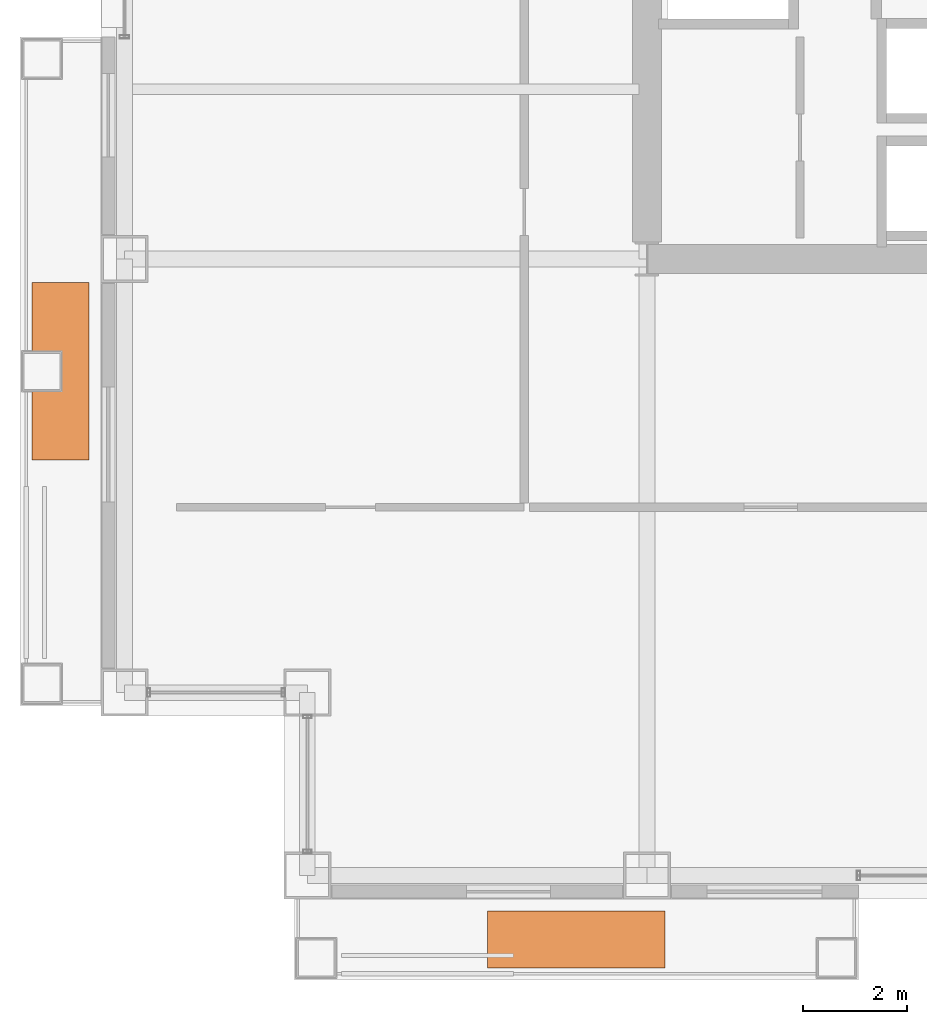
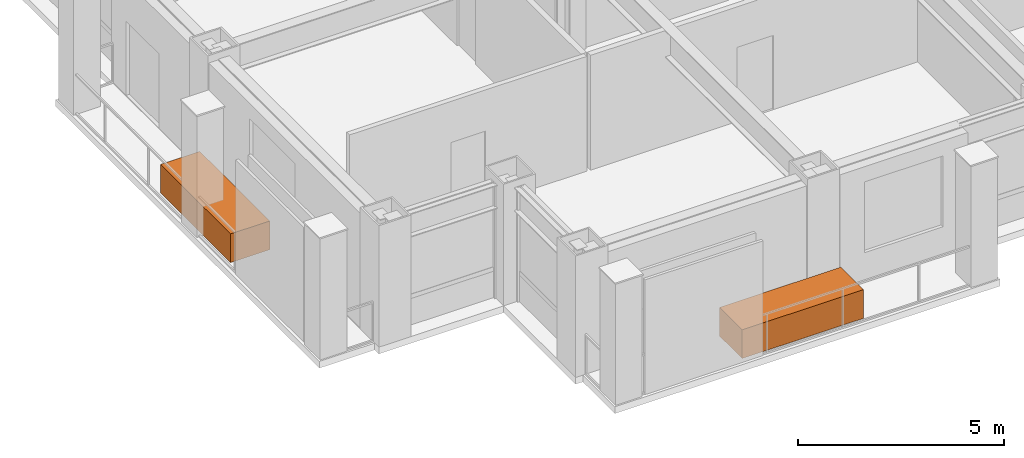
# One storey, part 29 of 29: 2 proxies.
"""IFC4 building model written with IfcOpenShell, lengths in metres."""

from ifc_helpers import new_model, si_unit, direction, frame, origin, origin_2d, place, context, subcontext, project, spatial, rectangle, extrude, material, type_object, element, save


model = new_model("IFC4")

# Units and contexts
model_context = context("Model", 3, precision=1e-05, world=origin(), true_north=direction((0.0, 1.0)))
body_context = subcontext(model_context, "Body", "Model", "MODEL_VIEW")
ifc_project = project(units=[si_unit("LENGTHUNIT", "METRE"), si_unit("AREAUNIT", "SQUARE_METRE"), si_unit("VOLUMEUNIT", "CUBIC_METRE"), si_unit("PLANEANGLEUNIT", "RADIAN"), si_unit("MASSUNIT", "GRAM", prefix="KILO")], contexts=[model_context])

# Site, building, storey
site_placement = place(None, origin())
site = spatial("IfcSite", under=ifc_project, at=site_placement, CompositionType="ELEMENT")
building_placement = place(site_placement, origin())
building = spatial("IfcBuilding", under=site, at=building_placement, Name="Brelmoor Portico Tower", CompositionType="ELEMENT")
storey_placement = place(building_placement, frame((0.0, 0.0, 60.0)))
storey = spatial("IfcBuildingStorey", under=building, at=storey_placement, Name="L15", CompositionType="ELEMENT", Elevation=60.0)

# Proxies
ifc_material = material(Name="Architectural Precast Concrete C40", Category="concrete")
building_element_proxy_type = type_object("IfcBuildingElementProxyType", Name="TREE PLANTER", PredefinedType="USERDEFINED", material=ifc_material)
for number, where, z_axis, x_axis, name in (
    (1, (-25.77490234375, -11.89990234375, 0.0), (0.0, 0.0, 1.0), (0.0, 1.0, 0.0), "L15 Planted Tree Planter W"),
    (2, (-15.89990234375, -22.77490234375, 0.0), (0.0, 0.0, 1.0), (1.0, 0.0, 0.0), "L15 Planted Tree Planter S"),
):
    element("IfcBuildingElementProxy", number, at=place(storey_placement, frame(where, z_axis=z_axis, x_axis=x_axis)), inside=storey, type_object=building_element_proxy_type, Name=name, ObjectType="PLANTER", PredefinedType="USERDEFINED", context=body_context, shape_type="SweptSolid", body=[
        extrude(rectangle(XDim=3.39990234375, YDim=1.10009765625, at=origin_2d()), origin(), (0.0, 0.0, 1.0), 0.85009765625),
    ])

save(model, "model.ifc")
